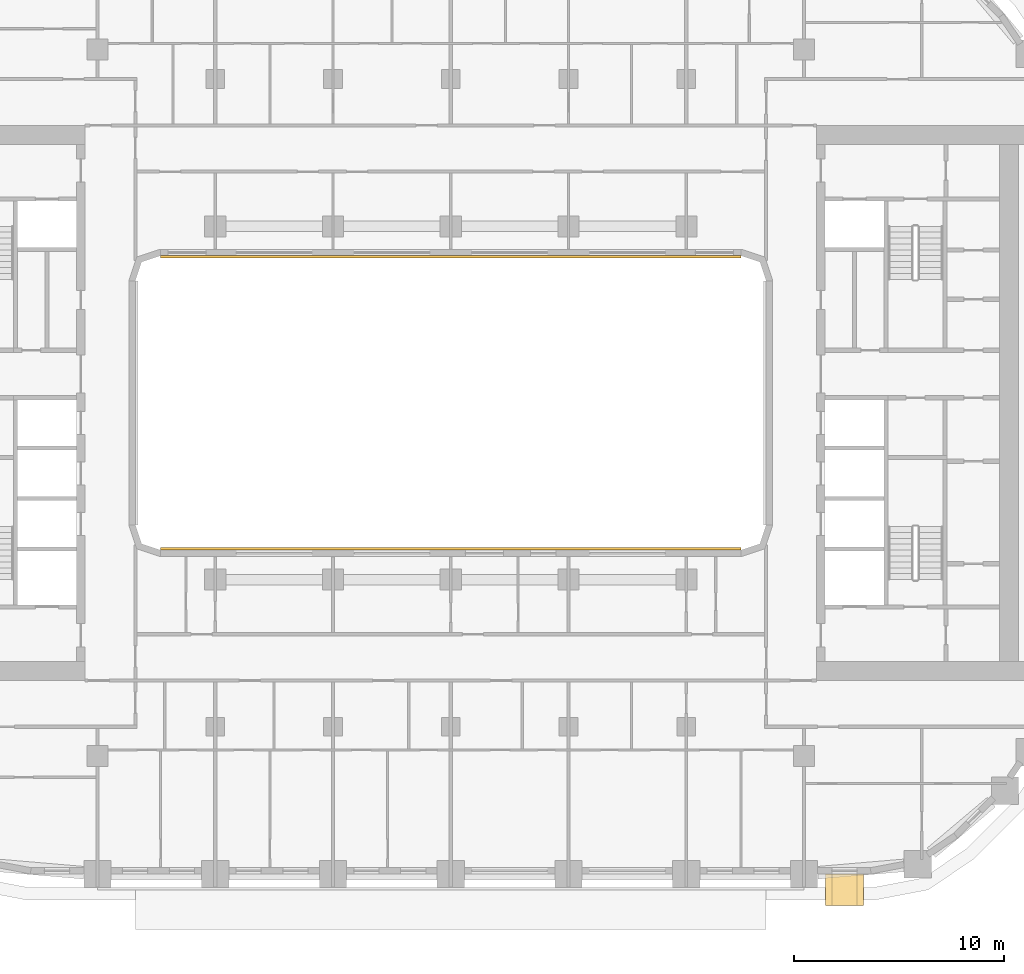
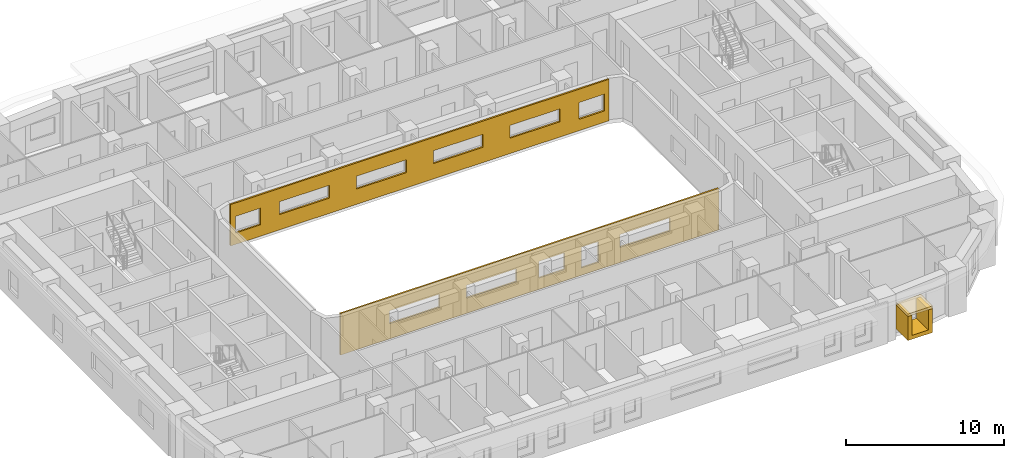
# One storey, part 17 of 23: 4 coverings.
"""IFC4 building model written with IfcOpenShell, lengths in metres."""

from ifc_helpers import new_model, si_unit, direction, frame, origin, origin_2d, place, context, subcontext, project, spatial, polyline, rectangle, outline, extrude, material, layer, layer_set, type_object, element, save


model = new_model("IFC4")

# Units and contexts
model_context = context("Model", 3, precision=1e-05, world=origin(), true_north=direction((0.0, 1.0)))
body_context = subcontext(model_context, "Body", "Model", "MODEL_VIEW")
ifc_project = project(units=[si_unit("LENGTHUNIT", "METRE"), si_unit("AREAUNIT", "SQUARE_METRE"), si_unit("VOLUMEUNIT", "CUBIC_METRE"), si_unit("PLANEANGLEUNIT", "RADIAN"), si_unit("MASSUNIT", "GRAM", prefix="KILO")], contexts=[model_context])

# Site, building, storey
site_placement = place(None, origin())
site = spatial("IfcSite", under=ifc_project, at=site_placement, CompositionType="ELEMENT")
building_placement = place(site_placement, origin())
building = spatial("IfcBuilding", under=site, at=building_placement, Name="Kiln Ring Residences", CompositionType="ELEMENT")
storey_placement = place(building_placement, frame((0.0, 0.0, 86.800048828125)))
storey = spatial("IfcBuildingStorey", under=building, at=storey_placement, Name="L21", CompositionType="ELEMENT", Elevation=86.800048828125)

# Coverings
ifc_material_1 = material(Name="Brick masonry, dark clay brick", Category="masonry")
ifc_layer_1 = layer(ifc_material_1, 0.300048828125)
ifc_layer_set_1 = layer_set([ifc_layer_1], Name="FRAME CHEEKS AND SILL 1500")
covering_type_1 = type_object("IfcCoveringType", Name="FRAME CHEEKS AND SILL 1500", PredefinedType="CLADDING", material=ifc_layer_set_1)
covering_1_placement = place(storey_placement, frame((17.824951171875, -23.14990234375, 0.300048828125), z_axis=(0.0, 0.0, 1.0), x_axis=(1.0, 0.0, 0.0)))
element("IfcCovering", 1, at=covering_1_placement, inside=storey, type_object=covering_type_1, Name="FRAME L21", PredefinedType="CLADDING", context=body_context, shape_type="SweptSolid", body=[
    extrude(outline(polyline([(0.0, 0.0), (1.800048828125, 0.0), (1.800048828125, 1.849853515625), (1.5009765625, 1.849853515625), (1.5, 0.2998046875), (0.300048828125, 0.2998046875), (0.299072265625, 1.849853515625), (0.0, 1.849853515625), (0.0, 0.0)])), frame((0.0, 0.75, 0.0), z_axis=(0.0, -1.0, 0.0), x_axis=(1.0, 0.0, 0.0)), (0.0, 0.0, 1.0), 1.5),
])
ifc_material_2 = material(Name="Brick masonry, dark clay brick", Category="masonry")
ifc_layer_2 = layer(ifc_material_2, 0.199951171875)
ifc_layer_set_2 = layer_set([ifc_layer_2], Name="FRAME HEAD 1500")
covering_type_2 = type_object("IfcCoveringType", Name="FRAME HEAD 1500", PredefinedType="CLADDING", material=ifc_layer_set_2)
covering_2_placement = place(storey_placement, frame((18.72509765625, -23.14990234375, 2.14990234375), z_axis=(0.0, 0.0, 1.0), x_axis=(1.0, 0.0, 0.0)))
element("IfcCovering", 2, at=covering_2_placement, inside=storey, type_object=covering_type_2, Name="FRAME HEAD L21", PredefinedType="CLADDING", context=body_context, shape_type="SweptSolid", body=[
    extrude(rectangle(XDim=1.800048828125, YDim=1.5, at=origin_2d()), origin(), (0.0, 0.0, 1.0), 0.199951171875),
])
ifc_material_3 = material(Name="Brick masonry, dark clay brick", Category="masonry")
ifc_layer_3 = layer(ifc_material_3, 0.1201171875)
ifc_layer_set_3 = layer_set([ifc_layer_3], Name="RAINSCREEN PANEL 120")
covering_type_3 = type_object("IfcCoveringType", Name="RAINSCREEN PANEL 120", PredefinedType="CLADDING", material=ifc_layer_set_3)
covering_3_placement = place(storey_placement, frame((-13.800048828125, 6.93994140625, 0.0), z_axis=(0.0, 0.0, 1.0), x_axis=(1.0, 0.0, 0.0)))
element("IfcCovering", 3, at=covering_3_placement, inside=storey, type_object=covering_type_3, Name="RAINSCREEN L21", PredefinedType="CLADDING", context=body_context, shape_type="SweptSolid", body=[
    extrude(outline(polyline([(0.0, 0.0), (27.60009765625, 0.0), (27.60009765625, 3.199951171875), (0.0, 3.199951171875), (0.0, 0.0)]), holes=[polyline([(2.1826171875, 0.8798828125), (2.1826171875, 2.169921875), (0.342529296875, 2.169921875), (0.342529296875, 0.8798828125), (2.1826171875, 0.8798828125)]), polyline([(25.41748046875, 0.8798828125), (27.257568359375, 0.8798828125), (27.257568359375, 2.169921875), (25.41748046875, 2.169921875), (25.41748046875, 0.8798828125)]), polyline([(3.580078125, 1.179931640625), (7.219970703125, 1.179931640625), (7.219970703125, 2.169921875), (3.580078125, 2.169921875), (3.580078125, 1.179931640625)]), polyline([(12.820068359375, 1.179931640625), (12.820068359375, 2.169921875), (9.179931640625, 2.169921875), (9.179931640625, 1.179931640625), (12.820068359375, 1.179931640625)]), polyline([(14.780029296875, 1.179931640625), (18.419921875, 1.179931640625), (18.419921875, 2.169921875), (14.780029296875, 2.169921875), (14.780029296875, 1.179931640625)]), polyline([(20.3798828125, 1.179931640625), (24.02001953125, 1.179931640625), (24.02001953125, 2.169921875), (20.3798828125, 2.169921875), (20.3798828125, 1.179931640625)])]), frame((0.0, 0.06005859375, 0.0), z_axis=(0.0, -1.0, 0.0), x_axis=(1.0, 0.0, 0.0)), (0.0, 0.0, 1.0), 0.1201171875),
])
covering_4_placement = place(storey_placement, frame((13.800048828125, -6.93994140625, 0.0), z_axis=(0.0, 0.0, 1.0), x_axis=(-1.0, 0.0, 0.0)))
element("IfcCovering", 4, at=covering_4_placement, inside=storey, type_object=covering_type_3, Name="RAINSCREEN L21", PredefinedType="CLADDING", context=body_context, shape_type="SweptSolid", body=[
    extrude(outline(polyline([(0.0, 0.0), (27.60009765625, 0.0), (27.60009765625, 3.199951171875), (0.0, 3.199951171875), (0.0, 0.0)]), holes=[polyline([(10.02001953125, 0.579833984375), (10.02001953125, 2.169921875), (8.780029296875, 2.169921875), (8.780029296875, 0.579833984375), (10.02001953125, 0.579833984375)]), polyline([(13.1201171875, 0.8798828125), (13.1201171875, 2.169921875), (11.280029296875, 2.169921875), (11.280029296875, 0.8798828125), (13.1201171875, 0.8798828125)]), polyline([(7.219970703125, 1.179931640625), (7.219970703125, 2.169921875), (3.580078125, 2.169921875), (3.580078125, 1.179931640625), (7.219970703125, 1.179931640625)]), polyline([(14.780029296875, 1.179931640625), (18.419921875, 1.179931640625), (18.419921875, 2.169921875), (14.780029296875, 2.169921875), (14.780029296875, 1.179931640625)]), polyline([(20.3798828125, 1.179931640625), (24.02001953125, 1.179931640625), (24.02001953125, 2.169921875), (20.3798828125, 2.169921875), (20.3798828125, 1.179931640625)])]), frame((0.0, 0.06005859375, 0.0), z_axis=(0.0, -1.0, 0.0), x_axis=(1.0, 0.0, 0.0)), (0.0, 0.0, 1.0), 0.1201171875),
])

save(model, "model.ifc")
